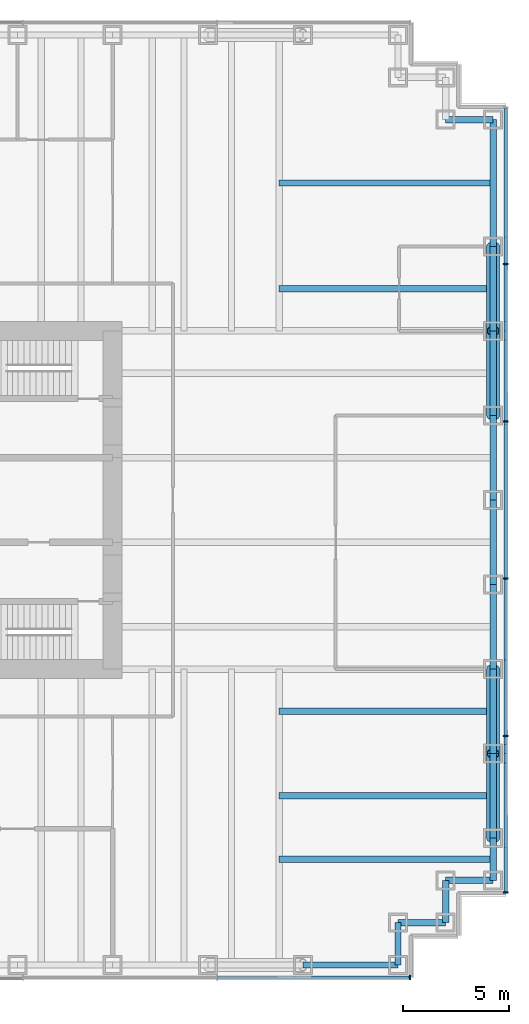
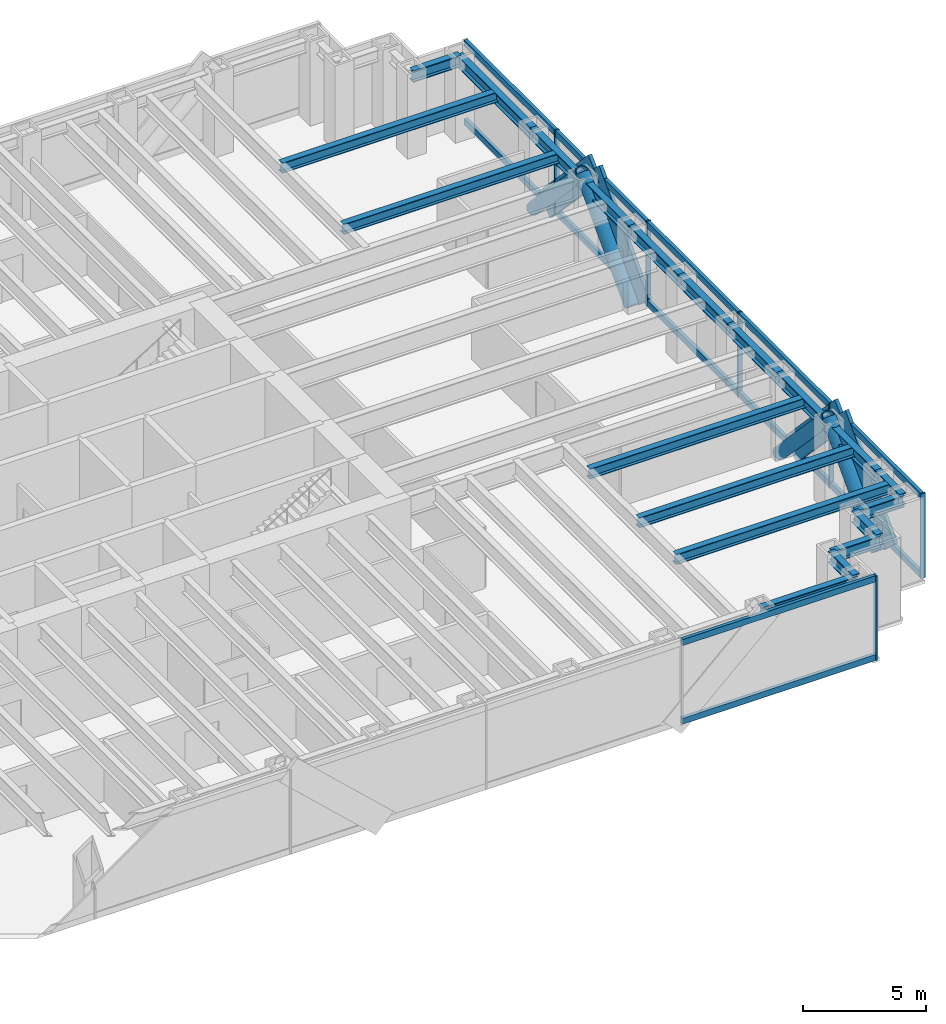
# One storey, part 8 of 15: 26 members, 20 beams, 2 elements without a shape of their own.
"""IFC4 building model written with IfcOpenShell, lengths in metres."""

from ifc_helpers import new_model, si_unit, direction, frame, origin, origin_2d, place, context, subcontext, project, spatial, rectangle, hollow_circle, i_section, extrude, material, material_profile, profile_set, type_object, element, aggregate, save


model = new_model("IFC4")

# Units and contexts
model_context = context("Model", 3, precision=1e-05, world=origin(), true_north=direction((0.0, 1.0)))
body_context = subcontext(model_context, "Body", "Model", "MODEL_VIEW")
ifc_project = project(units=[si_unit("LENGTHUNIT", "METRE"), si_unit("AREAUNIT", "SQUARE_METRE"), si_unit("VOLUMEUNIT", "CUBIC_METRE"), si_unit("PLANEANGLEUNIT", "RADIAN"), si_unit("MASSUNIT", "GRAM", prefix="KILO")], contexts=[model_context])

# Site, building, storey
site_placement = place(None, origin())
site = spatial("IfcSite", under=ifc_project, at=site_placement, CompositionType="ELEMENT")
building_placement = place(site_placement, origin())
building = spatial("IfcBuilding", under=site, at=building_placement, Name="Rheinbord Bourse Tower", CompositionType="ELEMENT")
storey_placement = place(building_placement, frame((0.0, 0.0, 146.699951171875)))
storey = spatial("IfcBuildingStorey", under=building, at=storey_placement, Name="L32", CompositionType="ELEMENT", Elevation=146.699951171875)

# Curtain wall, members
ifc_material_1 = material(Name="Dark glass and black aluminium", Category="aluminium")
curtain_wall_type = type_object("IfcCurtainWallType", Name="CW2 DARK GLASS CURTAIN WALL", PredefinedType="USERDEFINED", material=ifc_material_1)
curtain_wall_1_placement = place(storey_placement, origin())
curtain_wall_1 = element("IfcCurtainWall", 1, at=curtain_wall_1_placement, inside=storey, type_object=curtain_wall_type, Name="Curtain wall CW2 E L32", ObjectType="UNITISED CURTAIN WALL", PredefinedType="USERDEFINED")
ifc_material_2 = material(Name="Black anodised aluminium", Category="aluminium")
ifc_material_profile_1 = material_profile(ifc_material_2, rectangle(XDim=0.159912109375, YDim=1.2099609375, at=origin_2d()), Name="CW2 DIAGONAL MULLION 1210x160")
ifc_profile_set_1 = profile_set([ifc_material_profile_1], Name="Black anodised aluminium")
member_type_1 = type_object("IfcMemberType", Name="CW2 BLACK DIAGONAL MULLION", PredefinedType="USERDEFINED", material=ifc_profile_set_1)
member_1_placement = place(storey_placement, frame((72.60009765625, 16.0, 0.0), z_axis=(0.0, -0.689659376744, 0.724133926887), x_axis=(1.0, 0.0, 0.0)))
member_1 = element("IfcMember", 2, at=member_1_placement, type_object=member_type_1, Name="CW2 diagonal mullion a", ObjectType="DIAGONAL MULLION", PredefinedType="USERDEFINED", context=body_context, shape_type="SweptSolid", body=[
    extrude(rectangle(XDim=0.159912109375, YDim=1.2099609375, at=origin_2d()), origin(), (0.0, 0.0, 1.0), 5.800048828125),
])
member_2_placement = place(storey_placement, frame((72.60009765625, 28.0, 0.0), z_axis=(0.0, 0.689659376744, 0.724133926887), x_axis=(-1.0, 0.0, 0.0)))
member_2 = element("IfcMember", 3, at=member_2_placement, type_object=member_type_1, Name="CW2 diagonal mullion b", ObjectType="DIAGONAL MULLION", PredefinedType="USERDEFINED", context=body_context, shape_type="SweptSolid", body=[
    extrude(rectangle(XDim=0.159912109375, YDim=1.2099609375, at=origin_2d()), origin(), (0.0, 0.0, 1.0), 5.800048828125),
])
member_3_placement = place(storey_placement, frame((72.60009765625, 8.0, 0.0), z_axis=(0.0, 0.689659376744, 0.724133926887), x_axis=(-1.0, 0.0, 0.0)))
member_3 = element("IfcMember", 4, at=member_3_placement, type_object=member_type_1, Name="CW2 diagonal mullion c", ObjectType="DIAGONAL MULLION", PredefinedType="USERDEFINED", context=body_context, shape_type="SweptSolid", body=[
    extrude(rectangle(XDim=0.159912109375, YDim=1.2099609375, at=origin_2d()), origin(), (0.0, 0.0, 1.0), 5.800048828125),
])
member_4_placement = place(storey_placement, frame((72.60009765625, 36.0, 0.0), z_axis=(0.0, -0.689659376744, 0.724133926887), x_axis=(1.0, 0.0, 0.0)))
member_4 = element("IfcMember", 5, at=member_4_placement, type_object=member_type_1, Name="CW2 diagonal mullion d", ObjectType="DIAGONAL MULLION", PredefinedType="USERDEFINED", context=body_context, shape_type="SweptSolid", body=[
    extrude(rectangle(XDim=0.159912109375, YDim=1.2099609375, at=origin_2d()), origin(), (0.0, 0.0, 1.0), 5.800048828125),
])

# Curtain wall, member
curtain_wall_2_placement = place(storey_placement, origin())
curtain_wall_2 = element("IfcCurtainWall", 6, at=curtain_wall_2_placement, inside=storey, type_object=curtain_wall_type, Name="Curtain wall CW2 S L32", ObjectType="UNITISED CURTAIN WALL", PredefinedType="USERDEFINED")
ifc_material_3 = material(Name="Black anodised aluminium", Category="aluminium")
ifc_material_profile_2 = material_profile(ifc_material_3, rectangle(XDim=0.219970703125, YDim=0.070068359375, at=origin_2d()), Name="CW2 MULLION 70x220")
ifc_profile_set_2 = profile_set([ifc_material_profile_2], Name="Black anodised aluminium")
member_type_2 = type_object("IfcMemberType", Name="CW2 BLACK MULLION", PredefinedType="MULLION", material=ifc_profile_set_2)
member_5_placement = place(storey_placement, frame((68.06494140625, 1.39990234375, 0.0), z_axis=(0.0, 0.0, 1.0), x_axis=(0.0, 1.0, 0.0)))
member_5 = element("IfcMember", 7, at=member_5_placement, type_object=member_type_2, Name="CW2 mullion 8", PredefinedType="MULLION", context=body_context, shape_type="SweptSolid", body=[
    extrude(rectangle(XDim=0.219970703125, YDim=0.070068359375, at=origin_2d()), origin(), (0.0, 0.0, 1.0), 4.199951171875),
])

# Member
member_6_placement = place(storey_placement, frame((72.60009765625, 5.43505859375, 0.0), z_axis=(0.0, 0.0, 1.0), x_axis=(-1.0, 0.0, 0.0)))
member_6 = element("IfcMember", 8, at=member_6_placement, type_object=member_type_2, Name="CW2 mullion 1", PredefinedType="MULLION", context=body_context, shape_type="SweptSolid", body=[
    extrude(rectangle(XDim=0.219970703125, YDim=0.070068359375, at=origin_2d()), origin(), (0.0, 0.0, 1.0), 4.199951171875),
])

member_7_placement = place(storey_placement, frame((72.60009765625, 12.840087890625, 0.0), z_axis=(0.0, 0.0, 1.0), x_axis=(-1.0, 0.0, 0.0)))
member_7 = element("IfcMember", 9, at=member_7_placement, type_object=member_type_2, Name="CW2 mullion 2", PredefinedType="MULLION", context=body_context, shape_type="SweptSolid", body=[
    extrude(rectangle(XDim=0.219970703125, YDim=0.070068359375, at=origin_2d()), origin(), (0.0, 0.0, 1.0), 4.199951171875),
])

member_8_placement = place(storey_placement, frame((72.60009765625, 20.280029296875, 0.0), z_axis=(0.0, 0.0, 1.0), x_axis=(-1.0, 0.0, 0.0)))
member_8 = element("IfcMember", 10, at=member_8_placement, type_object=member_type_2, Name="CW2 mullion 3", PredefinedType="MULLION", context=body_context, shape_type="SweptSolid", body=[
    extrude(rectangle(XDim=0.219970703125, YDim=0.070068359375, at=origin_2d()), origin(), (0.0, 0.0, 1.0), 4.199951171875),
])

member_9_placement = place(storey_placement, frame((72.60009765625, 27.719970703125, 0.0), z_axis=(0.0, 0.0, 1.0), x_axis=(-1.0, 0.0, 0.0)))
member_9 = element("IfcMember", 11, at=member_9_placement, type_object=member_type_2, Name="CW2 mullion 4", PredefinedType="MULLION", context=body_context, shape_type="SweptSolid", body=[
    extrude(rectangle(XDim=0.219970703125, YDim=0.070068359375, at=origin_2d()), origin(), (0.0, 0.0, 1.0), 4.199951171875),
])

member_10_placement = place(storey_placement, frame((72.60009765625, 35.159912109375, 0.0), z_axis=(0.0, 0.0, 1.0), x_axis=(-1.0, 0.0, 0.0)))
member_10 = element("IfcMember", 12, at=member_10_placement, type_object=member_type_2, Name="CW2 mullion 5", PredefinedType="MULLION", context=body_context, shape_type="SweptSolid", body=[
    extrude(rectangle(XDim=0.219970703125, YDim=0.070068359375, at=origin_2d()), origin(), (0.0, 0.0, 1.0), 4.199951171875),
])

ifc_material_4 = material(Name="Black anodised aluminium", Category="aluminium")
ifc_material_profile_3 = material_profile(ifc_material_4, rectangle(XDim=0.159912109375, YDim=0.300048828125, at=origin_2d()), Name="CW2 TRANSOM 300x160")
ifc_profile_set_3 = profile_set([ifc_material_profile_3], Name="Black anodised aluminium")
member_type_3 = type_object("IfcMemberType", Name="CW2 BLACK TRANSOM", PredefinedType="USERDEFINED", material=ifc_profile_set_3)
member_11_placement = place(storey_placement, frame((58.963623046875, 1.39990234375, 0.150146484375), z_axis=(1.0, 0.0, 0.0), x_axis=(0.0, 1.0, 0.0)))
member_11 = element("IfcMember", 13, at=member_11_placement, type_object=member_type_3, Name="CW2 transom 7.1", ObjectType="TRANSOM", PredefinedType="USERDEFINED", context=body_context, shape_type="SweptSolid", body=[
    extrude(rectangle(XDim=0.159912109375, YDim=0.300048828125, at=origin_2d()), origin(), (0.0, 0.0, 1.0), 9.06640625),
])

member_12_placement = place(storey_placement, frame((58.963623046875, 1.39990234375, 4.050048828125), z_axis=(1.0, 0.0, 0.0), x_axis=(0.0, 1.0, 0.0)))
member_12 = element("IfcMember", 14, at=member_12_placement, type_object=member_type_3, Name="CW2 transom 7.2", ObjectType="TRANSOM", PredefinedType="USERDEFINED", context=body_context, shape_type="SweptSolid", body=[
    extrude(rectangle(XDim=0.159912109375, YDim=0.300048828125, at=origin_2d()), origin(), (0.0, 0.0, 1.0), 9.06640625),
])

aggregate(curtain_wall_2, [member_5, member_11, member_12])

member_13_placement = place(storey_placement, frame((72.60009765625, 5.469970703125, 0.150146484375), z_axis=(0.0, 1.0, 0.0), x_axis=(-1.0, 0.0, 0.0)))
member_13 = element("IfcMember", 15, at=member_13_placement, type_object=member_type_3, Name="CW2 transom 1.1", ObjectType="TRANSOM", PredefinedType="USERDEFINED", context=body_context, shape_type="SweptSolid", body=[
    extrude(rectangle(XDim=0.159912109375, YDim=0.300048828125, at=origin_2d()), origin(), (0.0, 0.0, 1.0), 7.3349609375),
])

member_14_placement = place(storey_placement, frame((72.60009765625, 5.469970703125, 4.050048828125), z_axis=(0.0, 1.0, 0.0), x_axis=(-1.0, 0.0, 0.0)))
member_14 = element("IfcMember", 16, at=member_14_placement, type_object=member_type_3, Name="CW2 transom 1.2", ObjectType="TRANSOM", PredefinedType="USERDEFINED", context=body_context, shape_type="SweptSolid", body=[
    extrude(rectangle(XDim=0.159912109375, YDim=0.300048828125, at=origin_2d()), origin(), (0.0, 0.0, 1.0), 7.3349609375),
])

member_15_placement = place(storey_placement, frame((72.60009765625, 12.875, 0.150146484375), z_axis=(0.0, 1.0, 0.0), x_axis=(-1.0, 0.0, 0.0)))
member_15 = element("IfcMember", 17, at=member_15_placement, type_object=member_type_3, Name="CW2 transom 2.1", ObjectType="TRANSOM", PredefinedType="USERDEFINED", context=body_context, shape_type="SweptSolid", body=[
    extrude(rectangle(XDim=0.159912109375, YDim=0.300048828125, at=origin_2d()), origin(), (0.0, 0.0, 1.0), 7.3701171875),
])

member_16_placement = place(storey_placement, frame((72.60009765625, 12.875, 4.050048828125), z_axis=(0.0, 1.0, 0.0), x_axis=(-1.0, 0.0, 0.0)))
member_16 = element("IfcMember", 18, at=member_16_placement, type_object=member_type_3, Name="CW2 transom 2.2", ObjectType="TRANSOM", PredefinedType="USERDEFINED", context=body_context, shape_type="SweptSolid", body=[
    extrude(rectangle(XDim=0.159912109375, YDim=0.300048828125, at=origin_2d()), origin(), (0.0, 0.0, 1.0), 7.3701171875),
])

member_17_placement = place(storey_placement, frame((72.60009765625, 20.31494140625, 0.150146484375), z_axis=(0.0, 1.0, 0.0), x_axis=(-1.0, 0.0, 0.0)))
member_17 = element("IfcMember", 19, at=member_17_placement, type_object=member_type_3, Name="CW2 transom 3.1", ObjectType="TRANSOM", PredefinedType="USERDEFINED", context=body_context, shape_type="SweptSolid", body=[
    extrude(rectangle(XDim=0.159912109375, YDim=0.300048828125, at=origin_2d()), origin(), (0.0, 0.0, 1.0), 7.3701171875),
])

member_18_placement = place(storey_placement, frame((72.60009765625, 20.31494140625, 4.050048828125), z_axis=(0.0, 1.0, 0.0), x_axis=(-1.0, 0.0, 0.0)))
member_18 = element("IfcMember", 20, at=member_18_placement, type_object=member_type_3, Name="CW2 transom 3.2", ObjectType="TRANSOM", PredefinedType="USERDEFINED", context=body_context, shape_type="SweptSolid", body=[
    extrude(rectangle(XDim=0.159912109375, YDim=0.300048828125, at=origin_2d()), origin(), (0.0, 0.0, 1.0), 7.3701171875),
])

member_19_placement = place(storey_placement, frame((72.60009765625, 27.7548828125, 0.150146484375), z_axis=(0.0, 1.0, 0.0), x_axis=(-1.0, 0.0, 0.0)))
member_19 = element("IfcMember", 21, at=member_19_placement, type_object=member_type_3, Name="CW2 transom 4.1", ObjectType="TRANSOM", PredefinedType="USERDEFINED", context=body_context, shape_type="SweptSolid", body=[
    extrude(rectangle(XDim=0.159912109375, YDim=0.300048828125, at=origin_2d()), origin(), (0.0, 0.0, 1.0), 7.3701171875),
])

member_20_placement = place(storey_placement, frame((72.60009765625, 27.7548828125, 4.050048828125), z_axis=(0.0, 1.0, 0.0), x_axis=(-1.0, 0.0, 0.0)))
member_20 = element("IfcMember", 22, at=member_20_placement, type_object=member_type_3, Name="CW2 transom 4.2", ObjectType="TRANSOM", PredefinedType="USERDEFINED", context=body_context, shape_type="SweptSolid", body=[
    extrude(rectangle(XDim=0.159912109375, YDim=0.300048828125, at=origin_2d()), origin(), (0.0, 0.0, 1.0), 7.3701171875),
])

member_21_placement = place(storey_placement, frame((72.60009765625, 35.195068359375, 0.150146484375), z_axis=(0.0, 1.0, 0.0), x_axis=(-1.0, 0.0, 0.0)))
member_21 = element("IfcMember", 23, at=member_21_placement, type_object=member_type_3, Name="CW2 transom 5.1", ObjectType="TRANSOM", PredefinedType="USERDEFINED", context=body_context, shape_type="SweptSolid", body=[
    extrude(rectangle(XDim=0.159912109375, YDim=0.300048828125, at=origin_2d()), origin(), (0.0, 0.0, 1.0), 7.3349609375),
])

member_22_placement = place(storey_placement, frame((72.60009765625, 35.195068359375, 4.050048828125), z_axis=(0.0, 1.0, 0.0), x_axis=(-1.0, 0.0, 0.0)))
member_22 = element("IfcMember", 24, at=member_22_placement, type_object=member_type_3, Name="CW2 transom 5.2", ObjectType="TRANSOM", PredefinedType="USERDEFINED", context=body_context, shape_type="SweptSolid", body=[
    extrude(rectangle(XDim=0.159912109375, YDim=0.300048828125, at=origin_2d()), origin(), (0.0, 0.0, 1.0), 7.3349609375),
])

aggregate(curtain_wall_1, [member_6, member_7, member_8, member_9, member_10, member_13, member_14, member_15, member_16, member_17, member_18, member_19, member_20, member_21, member_22, member_1, member_2, member_3, member_4])

# Members
ifc_material_5 = material(Name="Steel S460", Category="steel")
ifc_material_profile_4 = material_profile(ifc_material_5, hollow_circle(Radius=0.304931640625, WallThickness=0.0400390625, at=origin_2d()), Name="CHS 610x40")
ifc_profile_set_4 = profile_set([ifc_material_profile_4], Name="Steel S460")
member_type_4 = type_object("IfcMemberType", Name="MEGABRACE CHS 610x40", PredefinedType="BRACE", material=ifc_profile_set_4)
for number, where, z_axis, x_axis, name in (
    (25, (72.0, 16.0, 0.0), (0.0, -0.689659376744, 0.724133926887), (1.0, 0.0, 0.0), "Megabrace E face line a L32"),
    (26, (72.0, 28.0, 0.0), (0.0, 0.689659376744, 0.724133926887), (-1.0, 0.0, 0.0), "Megabrace E face line b L32"),
    (27, (72.0, 8.0, 0.0), (0.0, 0.689659376744, 0.724133926887), (-1.0, 0.0, 0.0), "Megabrace E face line c L32"),
    (28, (72.0, 36.0, 0.0), (0.0, -0.689659376744, 0.724133926887), (1.0, 0.0, 0.0), "Megabrace E face line d L32"),
):
    element("IfcMember", number, at=place(storey_placement, frame(where, z_axis=z_axis, x_axis=x_axis)), inside=storey, type_object=member_type_4, Name=name, PredefinedType="BRACE", context=body_context, shape_type="SweptSolid", body=[
        extrude(hollow_circle(Radius=0.304931640625, WallThickness=0.0400390625, at=origin_2d()), origin(), (0.0, 0.0, 1.0), 5.800048828125),
    ])

# Beams
ifc_material_6 = material(Name="Steel S460", Category="steel")
ifc_material_profile_5 = material_profile(ifc_material_6, i_section(OverallWidth=0.305908203125, OverallDepth=0.572021484375, WebThickness=0.02099609375, FlangeThickness=0.0400390625, at=origin_2d()), Name="HEM 550")
ifc_profile_set_5 = profile_set([ifc_material_profile_5], Name="Steel S460")
beam_type_1 = type_object("IfcBeamType", Name="SPANDREL HEM 550", PredefinedType="SPANDREL", material=ifc_profile_set_5)
beam_1_placement = place(storey_placement, frame((63.0, 2.0, 3.754150390625), z_axis=(1.0, 0.0, 0.0), x_axis=(0.0, 1.0, 0.0)))
element("IfcBeam", 29, at=beam_1_placement, inside=storey, type_object=beam_type_1, Name="Spandrel S-63-SE-E under L33", PredefinedType="SPANDREL", context=body_context, shape_type="SweptSolid", body=[
    extrude(i_section(OverallWidth=0.305908203125, OverallDepth=0.572021484375, WebThickness=0.02099609375, FlangeThickness=0.0400390625, at=origin_2d()), origin(), (0.0, 0.0, 1.0), 4.5),
])
beam_2_placement = place(storey_placement, frame((67.5, 2.0, 3.754150390625), z_axis=(0.0, 1.0, 0.0), x_axis=(-1.0, 0.0, 0.0)))
element("IfcBeam", 30, at=beam_2_placement, inside=storey, type_object=beam_type_1, Name="Spandrel SE-E-SE-D under L33", PredefinedType="SPANDREL", context=body_context, shape_type="SweptSolid", body=[
    extrude(i_section(OverallWidth=0.305908203125, OverallDepth=0.572021484375, WebThickness=0.02099609375, FlangeThickness=0.0400390625, at=origin_2d()), origin(), (0.0, 0.0, 1.0), 2.0),
])
beam_3_placement = place(storey_placement, frame((67.5, 4.0, 3.754150390625), z_axis=(1.0, 0.0, 0.0), x_axis=(0.0, 1.0, 0.0)))
element("IfcBeam", 31, at=beam_3_placement, inside=storey, type_object=beam_type_1, Name="Spandrel SE-D-SE-C under L33", PredefinedType="SPANDREL", context=body_context, shape_type="SweptSolid", body=[
    extrude(i_section(OverallWidth=0.305908203125, OverallDepth=0.572021484375, WebThickness=0.02099609375, FlangeThickness=0.0400390625, at=origin_2d()), origin(), (0.0, 0.0, 1.0), 2.25),
])
beam_4_placement = place(storey_placement, frame((69.75, 4.0, 3.754150390625), z_axis=(0.0, 1.0, 0.0), x_axis=(-1.0, 0.0, 0.0)))
element("IfcBeam", 32, at=beam_4_placement, inside=storey, type_object=beam_type_1, Name="Spandrel SE-C-SE-B under L33", PredefinedType="SPANDREL", context=body_context, shape_type="SweptSolid", body=[
    extrude(i_section(OverallWidth=0.305908203125, OverallDepth=0.572021484375, WebThickness=0.02099609375, FlangeThickness=0.0400390625, at=origin_2d()), origin(), (0.0, 0.0, 1.0), 2.0),
])
beam_5_placement = place(storey_placement, frame((69.75, 6.0, 3.754150390625), z_axis=(1.0, 0.0, 0.0), x_axis=(0.0, 1.0, 0.0)))
element("IfcBeam", 33, at=beam_5_placement, inside=storey, type_object=beam_type_1, Name="Spandrel SE-B-SE-A under L33", PredefinedType="SPANDREL", context=body_context, shape_type="SweptSolid", body=[
    extrude(i_section(OverallWidth=0.305908203125, OverallDepth=0.572021484375, WebThickness=0.02099609375, FlangeThickness=0.0400390625, at=origin_2d()), origin(), (0.0, 0.0, 1.0), 2.25),
])
beam_6_placement = place(storey_placement, frame((72.0, 6.0, 3.754150390625), z_axis=(0.0, 1.0, 0.0), x_axis=(-1.0, 0.0, 0.0)))
element("IfcBeam", 34, at=beam_6_placement, inside=storey, type_object=beam_type_1, Name="Spandrel SE-A-E-8 under L33", PredefinedType="SPANDREL", context=body_context, shape_type="SweptSolid", body=[
    extrude(i_section(OverallWidth=0.305908203125, OverallDepth=0.572021484375, WebThickness=0.02099609375, FlangeThickness=0.0400390625, at=origin_2d()), origin(), (0.0, 0.0, 1.0), 2.0),
])
for number, where, z_axis, x_axis, name in (
    (35, (72.0, 8.0, 3.754150390625), (0.0, 1.0, 0.0), (-1.0, 0.0, 0.0), "Spandrel E-8-E-12 under L33"),
    (36, (72.0, 12.0, 3.754150390625), (0.0, 1.0, 0.0), (-1.0, 0.0, 0.0), "Spandrel E-12-E-16 under L33"),
    (37, (72.0, 16.0, 3.754150390625), (0.0, 1.0, 0.0), (-1.0, 0.0, 0.0), "Spandrel E-16-E-20 under L33"),
    (38, (72.0, 20.0, 3.754150390625), (0.0, 1.0, 0.0), (-1.0, 0.0, 0.0), "Spandrel E-20-E-24 under L33"),
    (39, (72.0, 24.0, 3.754150390625), (0.0, 1.0, 0.0), (-1.0, 0.0, 0.0), "Spandrel E-24-E-28 under L33"),
    (40, (72.0, 28.0, 3.754150390625), (0.0, 1.0, 0.0), (-1.0, 0.0, 0.0), "Spandrel E-28-E-32 under L33"),
    (41, (72.0, 32.0, 3.754150390625), (0.0, 1.0, 0.0), (-1.0, 0.0, 0.0), "Spandrel E-32-E-36 under L33"),
):
    element("IfcBeam", number, at=place(storey_placement, frame(where, z_axis=z_axis, x_axis=x_axis)), inside=storey, type_object=beam_type_1, Name=name, PredefinedType="SPANDREL", context=body_context, shape_type="SweptSolid", body=[
        extrude(i_section(OverallWidth=0.305908203125, OverallDepth=0.572021484375, WebThickness=0.02099609375, FlangeThickness=0.0400390625, at=origin_2d()), origin(), (0.0, 0.0, 1.0), 4.0),
    ])
beam_7_placement = place(storey_placement, frame((72.0, 36.0, 3.754150390625), z_axis=(0.0, 1.0, 0.0), x_axis=(-1.0, 0.0, 0.0)))
element("IfcBeam", 42, at=beam_7_placement, inside=storey, type_object=beam_type_1, Name="Spandrel E-36-NE-A under L33", PredefinedType="SPANDREL", context=body_context, shape_type="SweptSolid", body=[
    extrude(i_section(OverallWidth=0.305908203125, OverallDepth=0.572021484375, WebThickness=0.02099609375, FlangeThickness=0.0400390625, at=origin_2d()), origin(), (0.0, 0.0, 1.0), 6.0),
])
beam_8_placement = place(storey_placement, frame((72.0, 42.0, 3.754150390625), z_axis=(-1.0, 0.0, 0.0), x_axis=(0.0, -1.0, 0.0)))
element("IfcBeam", 43, at=beam_8_placement, inside=storey, type_object=beam_type_1, Name="Spandrel NE-A-NE-B under L33", PredefinedType="SPANDREL", context=body_context, shape_type="SweptSolid", body=[
    extrude(i_section(OverallWidth=0.305908203125, OverallDepth=0.572021484375, WebThickness=0.02099609375, FlangeThickness=0.0400390625, at=origin_2d()), origin(), (0.0, 0.0, 1.0), 2.25),
])
ifc_material_7 = material(Name="Steel S460", Category="steel")
ifc_material_profile_6 = material_profile(ifc_material_7, i_section(OverallWidth=0.300048828125, OverallDepth=0.5, WebThickness=0.014404296875, FlangeThickness=0.028076171875, at=origin_2d()), Name="HEB 500")
ifc_profile_set_6 = profile_set([ifc_material_profile_6], Name="Steel S460")
beam_type_2 = type_object("IfcBeamType", Name="TIE BEAM HEB 500", PredefinedType="JOIST", material=ifc_profile_set_6)
for number, where, z_axis, x_axis, name in (
    (44, (61.875, 7.0, 3.7900390625), (1.0, 0.0, 0.0), (0.0, 1.0, 0.0), "Tie east 7 L33"),
    (45, (61.875, 10.0, 3.7900390625), (1.0, 0.0, 0.0), (0.0, 1.0, 0.0), "Tie east 10 L33"),
    (46, (61.875, 14.0, 3.7900390625), (1.0, 0.0, 0.0), (0.0, 1.0, 0.0), "Tie east 14 L33"),
    (47, (61.875, 34.0, 3.7900390625), (1.0, 0.0, 0.0), (0.0, 1.0, 0.0), "Tie east 34 L33"),
    (48, (61.875, 39.0, 3.7900390625), (1.0, 0.0, 0.0), (0.0, 1.0, 0.0), "Tie east 39 L33"),
):
    element("IfcBeam", number, at=place(storey_placement, frame(where, z_axis=z_axis, x_axis=x_axis)), inside=storey, type_object=beam_type_2, Name=name, PredefinedType="JOIST", context=body_context, shape_type="SweptSolid", body=[
        extrude(i_section(OverallWidth=0.300048828125, OverallDepth=0.5, WebThickness=0.014404296875, FlangeThickness=0.028076171875, at=origin_2d()), origin(), (0.0, 0.0, 1.0), 10.125),
    ])

save(model, "model.ifc")
